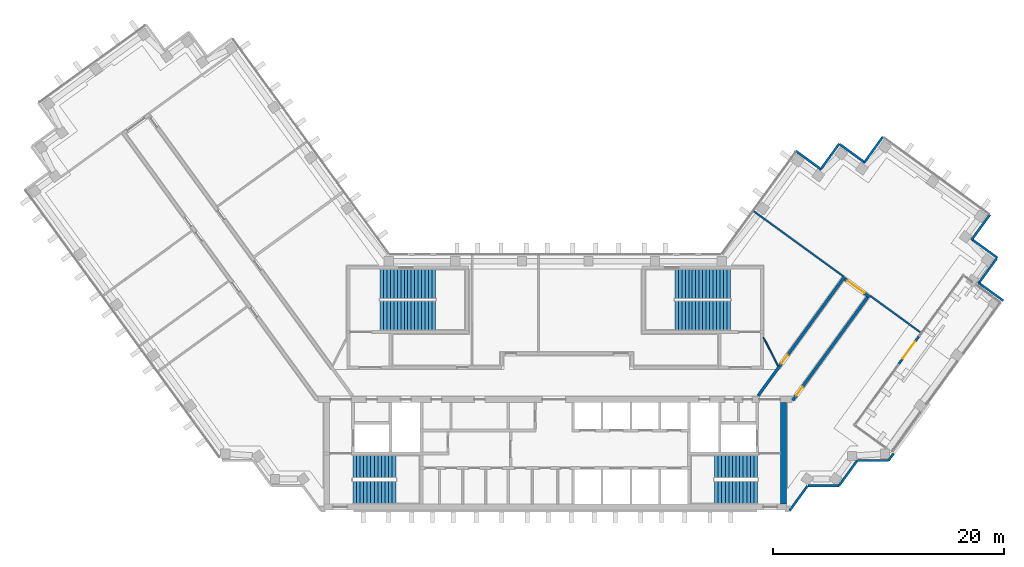
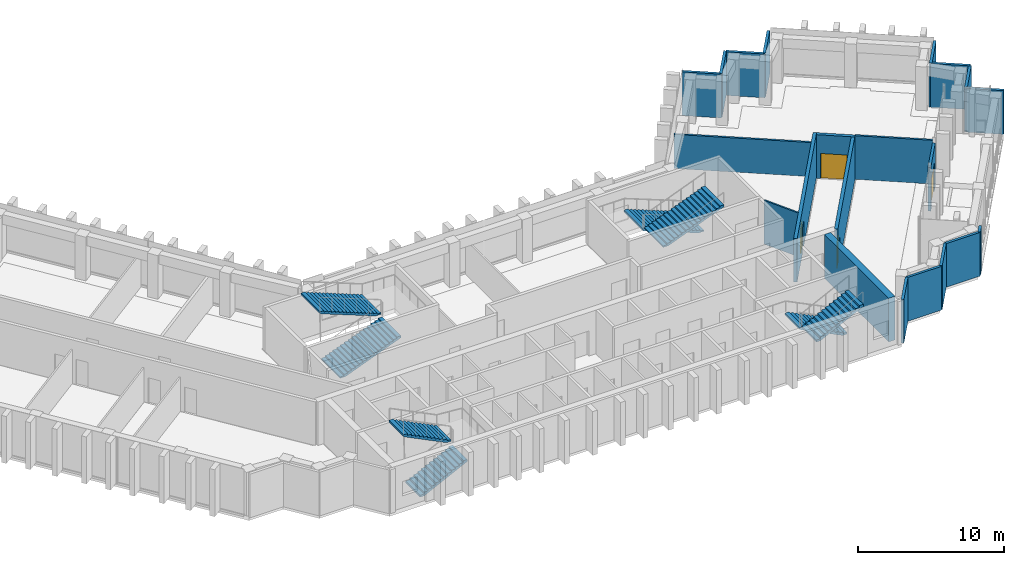
# One storey, part 7 of 10: 21 walls, 8 stair flights, 4 doors, 4 openings, 4 elements without a shape of their own.
"""IFC4 building model written with IfcOpenShell, lengths in metres."""

from ifc_helpers import new_model, si_unit, direction, frame, frame_2d, origin, place, context, subcontext, project, spatial, polyline, rectangle, outline, extrude, material, layer, layer_set, type_object, element, fill, aggregate, save


model = new_model("IFC4")

# Units and contexts
model_context = context("Model", 3, precision=1e-05, world=origin(), true_north=direction((0.0, 1.0)))
body_context = subcontext(model_context, "Body", "Model", "MODEL_VIEW")
ifc_project = project(units=[si_unit("LENGTHUNIT", "METRE"), si_unit("AREAUNIT", "SQUARE_METRE"), si_unit("VOLUMEUNIT", "CUBIC_METRE"), si_unit("PLANEANGLEUNIT", "RADIAN"), si_unit("MASSUNIT", "GRAM", prefix="KILO")], contexts=[model_context])

# Site, building, storey
site_placement = place(None, origin())
site = spatial("IfcSite", under=ifc_project, at=site_placement, CompositionType="ELEMENT")
building_placement = place(site_placement, origin())
building = spatial("IfcBuilding", under=site, at=building_placement, Name="Quipu Civic Tower", CompositionType="ELEMENT")
storey_placement = place(building_placement, frame((0.0, 0.0, 202.0)))
storey = spatial("IfcBuildingStorey", under=building, at=storey_placement, Name="L47", CompositionType="ELEMENT", Elevation=202.0)

# Walls
ifc_material_1 = material(Name="Double gypsum plasterboard with mineral wool")
ifc_layer_1 = layer(ifc_material_1, 0.14990234375)
ifc_layer_set_1 = layer_set([ifc_layer_1], Name="Double gypsum plasterboard with mineral wool")
wall_type_1 = type_object("IfcWallType", Name="Acoustic partition 150 plasterboard", PredefinedType="PARTITIONING", material=ifc_layer_set_1)
wall_1_placement = place(storey_placement, frame((24.898193359375, 9.209716796875, 0.0), z_axis=(0.0, 0.0, 1.0), x_axis=(-0.809034479891, 0.587761184791, 0.0)))
element("IfcWall", 1, at=wall_1_placement, inside=storey, type_object=wall_type_1, Name="Partition P01", PredefinedType="PARTITIONING", context=body_context, shape_type="SweptSolid", body=[
    extrude(rectangle(XDim=9.549560546875, YDim=0.14990234375, at=frame_2d((4.77490234375, 0.0))), origin(), (0.0, 0.0, 1.0), 2.85009765625),
])
wall_2_placement = place(storey_placement, frame((31.5732421875, 4.3603515625, 0.0), z_axis=(0.0, 0.0, 1.0), x_axis=(-0.809041862067, 0.587751023328, 0.0)))
element("IfcWall", 2, at=wall_2_placement, inside=storey, type_object=wall_type_1, Name="Partition P10", PredefinedType="PARTITIONING", context=body_context, shape_type="SweptSolid", body=[
    extrude(rectangle(XDim=5.349609375, YDim=0.14990234375, at=frame_2d((2.6748046875, 0.0))), origin(), (0.0, 0.0, 1.0), 3.64990234375),
])
ifc_material_2 = material(Name="Concrete C70/85", Category="concrete")
ifc_layer_2 = layer(ifc_material_2, 0.5)
ifc_layer_set_2 = layer_set([ifc_layer_2], Name="Concrete C70/85")
wall_type_2 = type_object("IfcWallType", Name="Core wall 500", PredefinedType="SHEAR", material=ifc_layer_set_2)
wall_3_placement = place(storey_placement, frame((19.75, -10.5, 0.0), z_axis=(0.0, 0.0, 1.0), x_axis=(0.0, 1.0, 0.0)))
element("IfcWall", 3, at=wall_3_placement, inside=storey, type_object=wall_type_2, Name="Core wall", PredefinedType="SHEAR", context=body_context, shape_type="SweptSolid", body=[
    extrude(rectangle(XDim=8.800048828125, YDim=0.5, at=frame_2d((4.39990234375, 0.0))), origin(), (0.0, 0.0, 1.0), 3.64990234375),
])

# Wall, opening, door
ifc_material_3 = material(Name="Concrete C50/60", Category="concrete")
ifc_layer_3 = layer(ifc_material_3, 0.25)
ifc_layer_set_3 = layer_set([ifc_layer_3], Name="Concrete C50/60")
wall_type_3 = type_object("IfcWallType", Name="Corridor wall 250 concrete", PredefinedType="SOLIDWALL", material=ifc_layer_set_3)
wall_4_placement = place(storey_placement, frame((17.544921875, -1.124755859375, 0.0), z_axis=(0.0, 0.0, 1.0), x_axis=(0.587796810203, 0.809008596935, 0.0)))
wall_4 = element("IfcWall", 4, at=wall_4_placement, inside=storey, type_object=wall_type_3, Name="Corridor wall C01", PredefinedType="SOLIDWALL", context=body_context, shape_type="SweptSolid", body=[
    extrude(rectangle(XDim=12.703125, YDim=0.25, at=frame_2d((6.3515625, 0.0))), origin(), (0.0, 0.0, 1.0), 3.64990234375),
])
opening_1_placement = place(wall_4_placement, frame((3.44140625, 0.0, 0.0)))
opening_1 = element("IfcOpeningElement", 5, at=opening_1_placement, cuts=wall_4, Name="Opening D001", PredefinedType="OPENING", context=body_context, shape_type="SweptSolid", body=[
    extrude(rectangle(XDim=0.89990234375, YDim=2.10009765625, at=frame_2d((0.449951171875, 1.050048828125))), frame((0.0, 0.135009765625, 0.0), z_axis=(0.0, -1.0, 0.0), x_axis=(1.0, 0.0, 0.0)), (0.0, 0.0, 1.0), 0.27001953125),
])
ifc_material_4 = material(Name="Fire rated timber door set with metal frame", Category="wood")
door_type_1 = type_object("IfcDoorType", Name="Single door 900 x 2100 FD60", OperationType="NOTDEFINED", PredefinedType="DOOR", material=ifc_material_4)
door_1_placement = place(opening_1_placement, origin())
door_1 = element("IfcDoor", 6, at=door_1_placement, inside=storey, type_object=door_type_1, Name="Door D001", OperationType="SINGLE_SWING_LEFT", OverallHeight=2.10009765625, OverallWidth=0.89990234375, PredefinedType="DOOR", context=body_context, shape_type="SweptSolid", body=[
    extrude(rectangle(XDim=0.89990234375, YDim=2.10009765625, at=frame_2d((0.449951171875, 1.050048828125))), frame((0.0, 0.02490234375, 0.0), z_axis=(0.0, -1.0, 0.0), x_axis=(1.0, 0.0, 0.0)), (0.0, 0.0, 1.0), 0.050048828125),
])
fill(opening_1, door_1)

wall_5_placement = place(storey_placement, frame((25.039306640625, 8.9775390625, 0.0), z_axis=(0.0, 0.0, 1.0), x_axis=(0.809006914995, -0.587799125119, 0.0)))
wall_5 = element("IfcWall", 7, at=wall_5_placement, inside=storey, type_object=wall_type_3, Name="Corridor wall C02", PredefinedType="SOLIDWALL", context=body_context, shape_type="SweptSolid", body=[
    extrude(rectangle(XDim=2.64990234375, YDim=0.25, at=frame_2d((1.324951171875, 0.0))), origin(), (0.0, 0.0, 1.0), 3.64990234375),
])
opening_2_placement = place(wall_5_placement, frame((0.300537109375, 0.0, 0.0)))
opening_2 = element("IfcOpeningElement", 8, at=opening_2_placement, cuts=wall_5, Name="Opening D003", PredefinedType="OPENING", context=body_context, shape_type="SweptSolid", body=[
    extrude(rectangle(XDim=1.800048828125, YDim=2.10009765625, at=frame_2d((0.89990234375, 1.050048828125))), frame((0.0, 0.135009765625, 0.0), z_axis=(0.0, -1.0, 0.0), x_axis=(1.0, 0.0, 0.0)), (0.0, 0.0, 1.0), 0.27001953125),
])
ifc_material_5 = material(Name="Fire rated timber door set with metal frame", Category="wood")
door_type_2 = type_object("IfcDoorType", Name="Double door 1800 x 2100 FD60", OperationType="DOUBLE_DOOR_SINGLE_SWING", PredefinedType="DOOR", material=ifc_material_5)
door_2_placement = place(opening_2_placement, origin())
door_2 = element("IfcDoor", 9, at=door_2_placement, inside=storey, type_object=door_type_2, Name="Door D003", OperationType="DOUBLE_DOOR_SINGLE_SWING", OverallHeight=2.10009765625, OverallWidth=1.800048828125, PredefinedType="DOOR", context=body_context, shape_type="SweptSolid", body=[
    extrude(rectangle(XDim=1.800048828125, YDim=2.10009765625, at=frame_2d((0.89990234375, 1.050048828125))), frame((0.0, 0.02490234375, 0.0), z_axis=(0.0, -1.0, 0.0), x_axis=(1.0, 0.0, 0.0)), (0.0, 0.0, 1.0), 0.050048828125),
])
fill(opening_2, door_2)

wall_6_placement = place(storey_placement, frame((27.008544921875, 7.392333984375, 0.0), z_axis=(0.0, 0.0, 1.0), x_axis=(-0.587776457057, -0.809023384414, 0.0)))
wall_6 = element("IfcWall", 10, at=wall_6_placement, inside=storey, type_object=wall_type_3, Name="Corridor wall C03", PredefinedType="SOLIDWALL", context=body_context, shape_type="SweptSolid", body=[
    extrude(rectangle(XDim=11.0205078125, YDim=0.25, at=frame_2d((5.51025390625, 0.0))), origin(), (0.0, 0.0, 1.0), 3.64990234375),
])
opening_3_placement = place(wall_6_placement, frame((9.587646484375, 0.0, 0.0)))
opening_3 = element("IfcOpeningElement", 11, at=opening_3_placement, cuts=wall_6, Name="Opening D002", PredefinedType="OPENING", context=body_context, shape_type="SweptSolid", body=[
    extrude(rectangle(XDim=0.89990234375, YDim=2.10009765625, at=frame_2d((0.449951171875, 1.050048828125))), frame((0.0, 0.135009765625, 0.0), z_axis=(0.0, -1.0, 0.0), x_axis=(1.0, 0.0, 0.0)), (0.0, 0.0, 1.0), 0.27001953125),
])
door_3_placement = place(opening_3_placement, origin())
door_3 = element("IfcDoor", 12, at=door_3_placement, inside=storey, type_object=door_type_1, Name="Door D002", OperationType="SINGLE_SWING_RIGHT", OverallHeight=2.10009765625, OverallWidth=0.89990234375, PredefinedType="DOOR", context=body_context, shape_type="SweptSolid", body=[
    extrude(rectangle(XDim=0.89990234375, YDim=2.10009765625, at=frame_2d((0.449951171875, 1.050048828125))), frame((0.0, 0.02490234375, 0.0), z_axis=(0.0, -1.0, 0.0), x_axis=(1.0, 0.0, 0.0)), (0.0, 0.0, 1.0), 0.050048828125),
])
fill(opening_3, door_3)

# Walls
ifc_material_6 = material(Name="Gypsum plasterboard on light gauge framing")
ifc_layer_4 = layer(ifc_material_6, 0.1201171875)
ifc_layer_set_4 = layer_set([ifc_layer_4], Name="Gypsum plasterboard on light gauge framing")
wall_type_4 = type_object("IfcWallType", Name="Partition 120 plasterboard", PredefinedType="PARTITIONING", material=ifc_layer_set_4)
wall_7_placement = place(storey_placement, frame((18.0, 3.925048828125, 0.0), z_axis=(0.0, 0.0, 1.0), x_axis=(0.453950796792, -0.891026752736, 0.0)))
element("IfcWall", 13, at=wall_7_placement, inside=storey, type_object=wall_type_4, Name="Partition P12", PredefinedType="PARTITIONING", context=body_context, shape_type="SweptSolid", body=[
    extrude(rectangle(XDim=2.77783203125, YDim=0.1201171875, at=frame_2d((1.388916015625, 0.0))), origin(), (0.0, 0.0, 1.0), 3.64990234375),
])
ifc_material_7 = material(Name="Precast concrete C40/50", Category="concrete")
wall_type_5 = type_object("IfcWallType", Name="Precast cladding wall", PredefinedType="SOLIDWALL", material=ifc_material_7)
for number, where, z_axis, x_axis, name in (
    (14, (36.0048828125, 12.3515625, 0.0), (0.0, 0.0, 1.0), (0.587762999008, 0.809033161865, 0.0), "Precast cladding wall L47 P01"),
    (15, (28.333984375, 21.26220703125, 0.0), (0.0, 0.0, 1.0), (-0.587762999008, -0.809033161865, 0.0), "Precast cladding wall L47 P03"),
):
    element("IfcWall", number, at=place(storey_placement, frame(where, z_axis=z_axis, x_axis=x_axis)), inside=storey, type_object=wall_type_5, Name=name, PredefinedType="SOLIDWALL", context=body_context, shape_type="SweptSolid", body=[
        extrude(rectangle(XDim=2.699951171875, YDim=0.199951171875, at=frame_2d((1.35009765625, 0.0))), origin(), (0.0, 0.0, 1.0), 3.64990234375),
    ])
wall_8_placement = place(storey_placement, frame((26.78466796875, 19.03564453125, 0.0), z_axis=(0.0, 0.0, 1.0), x_axis=(-0.809064397168, 0.587720002413, 0.0)))
element("IfcWall", 16, at=wall_8_placement, inside=storey, type_object=wall_type_5, Name="Precast cladding wall L47 P04", PredefinedType="SOLIDWALL", context=body_context, shape_type="SweptSolid", body=[
    extrude(rectangle(XDim=2.7001953125, YDim=0.199951171875, at=frame_2d((1.35009765625, 0.0))), origin(), (0.0, 0.0, 1.0), 3.64990234375),
])
for number, where, z_axis, x_axis, name in (
    (17, (24.562744140625, 20.664794921875, 0.0), (0.0, 0.0, 1.0), (-0.587822180636, -0.808990163075, 0.0), "Precast cladding wall L47 P05"),
    (18, (23.01318359375, 18.438232421875, 0.0), (0.0, 0.0, 1.0), (-0.808990163075, 0.587822180636, 0.0), "Precast cladding wall L47 P06"),
):
    element("IfcWall", number, at=place(storey_placement, frame(where, z_axis=z_axis, x_axis=x_axis)), inside=storey, type_object=wall_type_5, Name=name, PredefinedType="SOLIDWALL", context=body_context, shape_type="SweptSolid", body=[
        extrude(rectangle(XDim=2.699951171875, YDim=0.199951171875, at=frame_2d((1.35009765625, 0.0))), origin(), (0.0, 0.0, 1.0), 3.64990234375),
    ])
wall_9_placement = place(storey_placement, frame((20.253173828125, -11.083251953125, 0.0), z_axis=(0.0, 0.0, 1.0), x_axis=(0.587766567315, 0.809030569476, 0.0)))
element("IfcWall", 19, at=wall_9_placement, inside=storey, type_object=wall_type_5, Name="Precast cladding wall L47 P32", PredefinedType="SOLIDWALL", context=body_context, shape_type="SweptSolid", body=[
    extrude(rectangle(XDim=2.687744140625, YDim=0.199951171875, at=frame_2d((1.34375, 0.0))), origin(), (0.0, 0.0, 1.0), 3.64990234375),
])
wall_10_placement = place(storey_placement, frame((21.8427734375, -8.90380859375, 0.0), z_axis=(0.0, 0.0, 1.0), x_axis=(1.0, 0.0, 0.0)))
element("IfcWall", 20, at=wall_10_placement, inside=storey, type_object=wall_type_5, Name="Precast cladding wall L47 P33", PredefinedType="SOLIDWALL", context=body_context, shape_type="SweptSolid", body=[
    extrude(rectangle(XDim=2.699951171875, YDim=0.199951171875, at=frame_2d((1.35009765625, 0.0))), origin(), (0.0, 0.0, 1.0), 3.64990234375),
])
wall_11_placement = place(storey_placement, frame((24.533203125, -8.90869140625, 0.0), z_axis=(0.0, 0.0, 1.0), x_axis=(0.587720002413, 0.809064397168, 0.0)))
element("IfcWall", 21, at=wall_11_placement, inside=storey, type_object=wall_type_5, Name="Precast cladding wall L47 P34", PredefinedType="SOLIDWALL", context=body_context, shape_type="SweptSolid", body=[
    extrude(rectangle(XDim=2.7001953125, YDim=0.199951171875, at=frame_2d((1.35009765625, 0.0))), origin(), (0.0, 0.0, 1.0), 3.64990234375),
])
wall_12_placement = place(storey_placement, frame((26.1298828125, -6.71923828125, 0.0), z_axis=(0.0, 0.0, 1.0), x_axis=(1.0, 0.0, 0.0)))
element("IfcWall", 22, at=wall_12_placement, inside=storey, type_object=wall_type_5, Name="Precast cladding wall L47 P35", PredefinedType="SOLIDWALL", context=body_context, shape_type="SweptSolid", body=[
    extrude(rectangle(XDim=2.699951171875, YDim=0.199951171875, at=frame_2d((1.35009765625, 0.0))), origin(), (0.0, 0.0, 1.0), 3.64990234375),
])
wall_13_placement = place(storey_placement, frame((28.820068359375, -6.72412109375, 0.0), z_axis=(0.0, 0.0, 1.0), x_axis=(0.587941177097, 0.808903685412, 0.0)))
element("IfcWall", 23, at=wall_13_placement, inside=storey, type_object=wall_type_5, Name="Precast cladding wall L47 1", PredefinedType="SOLIDWALL", context=body_context, shape_type="SweptSolid", body=[
    extrude(rectangle(XDim=0.755859375, YDim=0.199951171875, at=frame_2d((0.3779296875, 0.0))), origin(), (0.0, 0.0, 1.0), 3.64990234375),
])
wall_14_placement = place(storey_placement, frame((38.747802734375, 7.08984375, 0.0), z_axis=(0.0, 0.0, 1.0), x_axis=(-0.80901210161, 0.587791986546, 0.0)))
element("IfcWall", 24, at=wall_14_placement, inside=storey, type_object=wall_type_5, Name="Precast cladding wall L47 9", PredefinedType="SOLIDWALL", context=body_context, shape_type="SweptSolid", body=[
    extrude(rectangle(XDim=2.60009765625, YDim=0.199951171875, at=frame_2d((1.300048828125, 0.0))), origin(), (0.0, 0.0, 1.0), 3.64990234375),
])
for number, where, z_axis, x_axis, name in (
    (25, (36.60205078125, 8.580322265625, 0.0), (0.0, 0.0, 1.0), (0.587822180636, 0.808990163075, 0.0), "Precast cladding wall L47 10"),
    (26, (38.231201171875, 10.80224609375, 0.0), (0.0, 0.0, 1.0), (-0.808958916286, 0.58786518162, 0.0), "Precast cladding wall L47 11"),
):
    element("IfcWall", number, at=place(storey_placement, frame(where, z_axis=z_axis, x_axis=x_axis)), inside=storey, type_object=wall_type_5, Name=name, PredefinedType="SOLIDWALL", context=body_context, shape_type="SweptSolid", body=[
        extrude(rectangle(XDim=2.699951171875, YDim=0.199951171875, at=frame_2d((1.35009765625, 0.0))), origin(), (0.0, 0.0, 1.0), 3.64990234375),
    ])

# Wall, opening, door
ifc_material_8 = material(Name="Precast concrete C40/50", Category="concrete")
wall_type_6 = type_object("IfcWallType", Name="Precast door surround", PredefinedType="SOLIDWALL", material=ifc_material_8)
wall_15_placement = place(storey_placement, frame((31.44921875, 4.019287109375, 0.0), z_axis=(0.0, 0.0, 1.0), x_axis=(-0.58782869016, -0.808985433135, 0.0)))
wall_15 = element("IfcWall", 27, at=wall_15_placement, inside=storey, type_object=wall_type_6, Name="Door surround ED-L47-1", PredefinedType="SOLIDWALL", context=body_context, shape_type="SweptSolid", body=[
    extrude(rectangle(XDim=2.962890625, YDim=0.199951171875, at=frame_2d((1.4814453125, 0.0))), origin(), (0.0, 0.0, 1.0), 3.64990234375),
])
opening_4_placement = place(wall_15_placement, frame((0.58154296875, 0.0, 0.0)))
opening_4 = element("IfcOpeningElement", 28, at=opening_4_placement, cuts=wall_15, Name="Opening ED-L47-1", PredefinedType="OPENING", context=body_context, shape_type="SweptSolid", body=[
    extrude(rectangle(XDim=1.800048828125, YDim=2.39990234375, at=frame_2d((0.89990234375, 1.199951171875))), frame((0.0, 0.10986328125, 0.0), z_axis=(0.0, -1.0, 0.0), x_axis=(1.0, 0.0, 0.0)), (0.0, 0.0, 1.0), 0.219970703125),
])
ifc_material_9 = material(Name="Aluminium framed glazed door", Category="aluminium")
door_type_3 = type_object("IfcDoorType", Name="Terrace door E3", OperationType="DOUBLE_DOOR_SINGLE_SWING", PredefinedType="DOOR", material=ifc_material_9)
door_4_placement = place(opening_4_placement, origin())
door_4 = element("IfcDoor", 29, at=door_4_placement, inside=storey, type_object=door_type_3, Name="E3 door ED-L47-1", OperationType="DOUBLE_DOOR_SINGLE_SWING", OverallHeight=2.39990234375, OverallWidth=1.800048828125, PredefinedType="DOOR", context=body_context, shape_type="SweptSolid", body=[
    extrude(rectangle(XDim=1.800048828125, YDim=2.39990234375, at=frame_2d((0.89990234375, 1.199951171875))), frame((0.0, 0.02490234375, 0.0), z_axis=(0.0, -1.0, 0.0), x_axis=(1.0, 0.0, 0.0)), (0.0, 0.0, 1.0), 0.050048828125),
])
fill(opening_4, door_4)

# Stair, stair flights
ifc_material_10 = material(Name="Concrete C40/50", Category="concrete")
stair_type_1 = type_object("IfcStairType", Name="Half turn stair 2000", PredefinedType="HALF_TURN_STAIR", material=ifc_material_10)
stair_1_placement = place(storey_placement, origin())
stair_1 = element("IfcStair", 30, at=stair_1_placement, inside=storey, type_object=stair_type_1, Name="Exit stair 1", PredefinedType="HALF_TURN_STAIR")
ifc_material_11 = material(Name="Concrete C40/50", Category="concrete")
stair_flight_type_1 = type_object("IfcStairFlightType", Name="Stair flight 2000", PredefinedType="STRAIGHT", material=ifc_material_11)
stair_flight_1_placement = place(storey_placement, frame((-17.5, -9.5, 0.0), z_axis=(0.0, 0.0, 1.0), x_axis=(1.0, 0.0, 0.0)))
stair_flight_1 = element("IfcStairFlight", 31, at=stair_flight_1_placement, type_object=stair_flight_type_1, Name="ST-1 flight 1", NumberOfRisers=13, NumberOfTreads=12, PredefinedType="STRAIGHT", RiserHeight=0.153846154, TreadLength=0.31, context=body_context, shape_type="SweptSolid", body=[
    extrude(outline(polyline([(0.0, 0.0), (0.0, 0.15380859375), (0.31005859375, 0.15380859375), (0.31005859375, 0.3076171875), (0.6201171875, 0.3076171875), (0.6201171875, 0.46142578125), (0.929931640625, 0.46142578125), (0.929931640625, 0.615478515625), (1.239990234375, 0.615478515625), (1.239990234375, 0.769287109375), (1.550048828125, 0.769287109375), (1.550048828125, 0.923095703125), (1.860107421875, 0.923095703125), (1.860107421875, 1.076904296875), (2.169921875, 1.076904296875), (2.169921875, 1.230712890625), (2.47998046875, 1.230712890625), (2.47998046875, 1.384521484375), (2.7900390625, 1.384521484375), (2.7900390625, 1.53857421875), (3.10009765625, 1.53857421875), (3.10009765625, 1.6923828125), (3.409912109375, 1.6923828125), (3.409912109375, 1.84619140625), (3.719970703125, 1.84619140625), (3.719970703125, 2.0), (3.719970703125, 1.6787109375), (0.337158203125, 0.0), (0.0, 0.0)])), frame((0.0, 1.0, 0.0), z_axis=(0.0, -1.0, 0.0), x_axis=(1.0, 0.0, 0.0)), (0.0, 0.0, 1.0), 2.0),
])
stair_flight_2_placement = place(storey_placement, frame((-13.780029296875, -7.25, 2.0), z_axis=(0.0, 0.0, 1.0), x_axis=(-1.0, 0.0, 0.0)))
stair_flight_2 = element("IfcStairFlight", 32, at=stair_flight_2_placement, type_object=stair_flight_type_1, Name="ST-1 flight 2", NumberOfRisers=13, NumberOfTreads=12, PredefinedType="STRAIGHT", RiserHeight=0.153846154, TreadLength=0.31, context=body_context, shape_type="SweptSolid", body=[
    extrude(outline(polyline([(0.0, 0.0), (0.0, 0.15380859375), (0.31005859375, 0.15380859375), (0.31005859375, 0.3076171875), (0.6201171875, 0.3076171875), (0.6201171875, 0.46142578125), (0.929931640625, 0.46142578125), (0.929931640625, 0.615478515625), (1.239990234375, 0.615478515625), (1.239990234375, 0.769287109375), (1.550048828125, 0.769287109375), (1.550048828125, 0.923095703125), (1.860107421875, 0.923095703125), (1.860107421875, 1.076904296875), (2.169921875, 1.076904296875), (2.169921875, 1.230712890625), (2.47998046875, 1.230712890625), (2.47998046875, 1.384521484375), (2.7900390625, 1.384521484375), (2.7900390625, 1.53857421875), (3.10009765625, 1.53857421875), (3.10009765625, 1.6923828125), (3.409912109375, 1.6923828125), (3.409912109375, 1.84619140625), (3.719970703125, 1.84619140625), (3.719970703125, 2.0), (3.719970703125, 1.6787109375), (0.337158203125, 0.0), (0.0, 0.0)])), frame((0.0, 1.0, 0.0), z_axis=(0.0, -1.0, 0.0), x_axis=(1.0, 0.0, 0.0)), (0.0, 0.0, 1.0), 2.0),
])
aggregate(stair_1, [stair_flight_1, stair_flight_2])

stair_2_placement = place(storey_placement, origin())
stair_2 = element("IfcStair", 33, at=stair_2_placement, inside=storey, type_object=stair_type_1, Name="Exit stair 2", PredefinedType="HALF_TURN_STAIR")
stair_flight_3_placement = place(storey_placement, frame((17.5, -7.25, 0.0), z_axis=(0.0, 0.0, 1.0), x_axis=(-1.0, 0.0, 0.0)))
stair_flight_3 = element("IfcStairFlight", 34, at=stair_flight_3_placement, type_object=stair_flight_type_1, Name="ST-2 flight 1", NumberOfRisers=13, NumberOfTreads=12, PredefinedType="STRAIGHT", RiserHeight=0.153846154, TreadLength=0.31, context=body_context, shape_type="SweptSolid", body=[
    extrude(outline(polyline([(0.0, 0.0), (0.0, 0.15380859375), (0.31005859375, 0.15380859375), (0.31005859375, 0.3076171875), (0.6201171875, 0.3076171875), (0.6201171875, 0.46142578125), (0.929931640625, 0.46142578125), (0.929931640625, 0.615478515625), (1.239990234375, 0.615478515625), (1.239990234375, 0.769287109375), (1.550048828125, 0.769287109375), (1.550048828125, 0.923095703125), (1.860107421875, 0.923095703125), (1.860107421875, 1.076904296875), (2.169921875, 1.076904296875), (2.169921875, 1.230712890625), (2.47998046875, 1.230712890625), (2.47998046875, 1.384521484375), (2.7900390625, 1.384521484375), (2.7900390625, 1.53857421875), (3.10009765625, 1.53857421875), (3.10009765625, 1.6923828125), (3.409912109375, 1.6923828125), (3.409912109375, 1.84619140625), (3.719970703125, 1.84619140625), (3.719970703125, 2.0), (3.719970703125, 1.6787109375), (0.337158203125, 0.0), (0.0, 0.0)])), frame((0.0, 1.0, 0.0), z_axis=(0.0, -1.0, 0.0), x_axis=(1.0, 0.0, 0.0)), (0.0, 0.0, 1.0), 2.0),
])
stair_flight_4_placement = place(storey_placement, frame((13.780029296875, -9.5, 2.0), z_axis=(0.0, 0.0, 1.0), x_axis=(1.0, 0.0, 0.0)))
stair_flight_4 = element("IfcStairFlight", 35, at=stair_flight_4_placement, type_object=stair_flight_type_1, Name="ST-2 flight 2", NumberOfRisers=13, NumberOfTreads=12, PredefinedType="STRAIGHT", RiserHeight=0.153846154, TreadLength=0.31, context=body_context, shape_type="SweptSolid", body=[
    extrude(outline(polyline([(0.0, 0.0), (0.0, 0.15380859375), (0.31005859375, 0.15380859375), (0.31005859375, 0.3076171875), (0.6201171875, 0.3076171875), (0.6201171875, 0.46142578125), (0.929931640625, 0.46142578125), (0.929931640625, 0.615478515625), (1.239990234375, 0.615478515625), (1.239990234375, 0.769287109375), (1.550048828125, 0.769287109375), (1.550048828125, 0.923095703125), (1.860107421875, 0.923095703125), (1.860107421875, 1.076904296875), (2.169921875, 1.076904296875), (2.169921875, 1.230712890625), (2.47998046875, 1.230712890625), (2.47998046875, 1.384521484375), (2.7900390625, 1.384521484375), (2.7900390625, 1.53857421875), (3.10009765625, 1.53857421875), (3.10009765625, 1.6923828125), (3.409912109375, 1.6923828125), (3.409912109375, 1.84619140625), (3.719970703125, 1.84619140625), (3.719970703125, 2.0), (3.719970703125, 1.6787109375), (0.337158203125, 0.0), (0.0, 0.0)])), frame((0.0, 1.0, 0.0), z_axis=(0.0, -1.0, 0.0), x_axis=(1.0, 0.0, 0.0)), (0.0, 0.0, 1.0), 2.0),
])
aggregate(stair_2, [stair_flight_3, stair_flight_4])

ifc_material_12 = material(Name="Concrete C40/50", Category="concrete")
stair_type_2 = type_object("IfcStairType", Name="Half turn stair 2600", PredefinedType="HALF_TURN_STAIR", material=ifc_material_12)
stair_3_placement = place(storey_placement, origin())
stair_3 = element("IfcStair", 36, at=stair_3_placement, inside=storey, type_object=stair_type_2, Name="Exit stair 3", PredefinedType="HALF_TURN_STAIR")
ifc_material_13 = material(Name="Concrete C40/50", Category="concrete")
stair_flight_type_2 = type_object("IfcStairFlightType", Name="Stair flight 2600", PredefinedType="STRAIGHT", material=ifc_material_13)
stair_flight_5_placement = place(storey_placement, frame((-15.14990234375, 5.800048828125, 0.0), z_axis=(0.0, 0.0, 1.0), x_axis=(1.0, 0.0, 0.0)))
stair_flight_5 = element("IfcStairFlight", 37, at=stair_flight_5_placement, type_object=stair_flight_type_2, Name="ST-3 flight 1", NumberOfRisers=17, NumberOfTreads=16, PredefinedType="STRAIGHT", RiserHeight=0.117647059, TreadLength=0.3, context=body_context, shape_type="SweptSolid", body=[
    extrude(outline(polyline([(0.0, 0.0), (0.0, 0.11767578125), (0.300048828125, 0.11767578125), (0.300048828125, 0.2353515625), (0.60009765625, 0.2353515625), (0.60009765625, 0.35302734375), (0.89990234375, 0.35302734375), (0.89990234375, 0.470703125), (1.199951171875, 0.470703125), (1.199951171875, 0.588134765625), (1.5, 0.588134765625), (1.5, 0.705810546875), (1.800048828125, 0.705810546875), (1.800048828125, 0.823486328125), (2.10009765625, 0.823486328125), (2.10009765625, 0.941162109375), (2.39990234375, 0.941162109375), (2.39990234375, 1.058837890625), (2.699951171875, 1.058837890625), (2.699951171875, 1.176513671875), (3.0, 1.176513671875), (3.0, 1.294189453125), (3.300048828125, 1.294189453125), (3.300048828125, 1.411865234375), (3.60009765625, 1.411865234375), (3.60009765625, 1.529296875), (3.89990234375, 1.529296875), (3.89990234375, 1.64697265625), (4.199951171875, 1.64697265625), (4.199951171875, 1.7646484375), (4.5, 1.7646484375), (4.5, 1.88232421875), (4.800048828125, 1.88232421875), (4.800048828125, 2.0), (4.800048828125, 1.721435546875), (0.41064453125, 0.0), (0.0, 0.0)])), frame((0.0, 1.300048828125, 0.0), z_axis=(0.0, -1.0, 0.0), x_axis=(1.0, 0.0, 0.0)), (0.0, 0.0, 1.0), 2.60009765625),
])
stair_flight_6_placement = place(storey_placement, frame((-10.35009765625, 8.550048828125, 2.0), z_axis=(0.0, 0.0, 1.0), x_axis=(-1.0, 0.0, 0.0)))
stair_flight_6 = element("IfcStairFlight", 38, at=stair_flight_6_placement, type_object=stair_flight_type_2, Name="ST-3 flight 2", NumberOfRisers=17, NumberOfTreads=16, PredefinedType="STRAIGHT", RiserHeight=0.117647059, TreadLength=0.3, context=body_context, shape_type="SweptSolid", body=[
    extrude(outline(polyline([(0.0, 0.0), (0.0, 0.11767578125), (0.300048828125, 0.11767578125), (0.300048828125, 0.2353515625), (0.60009765625, 0.2353515625), (0.60009765625, 0.35302734375), (0.89990234375, 0.35302734375), (0.89990234375, 0.470703125), (1.199951171875, 0.470703125), (1.199951171875, 0.588134765625), (1.5, 0.588134765625), (1.5, 0.705810546875), (1.800048828125, 0.705810546875), (1.800048828125, 0.823486328125), (2.10009765625, 0.823486328125), (2.10009765625, 0.941162109375), (2.39990234375, 0.941162109375), (2.39990234375, 1.058837890625), (2.699951171875, 1.058837890625), (2.699951171875, 1.176513671875), (3.0, 1.176513671875), (3.0, 1.294189453125), (3.300048828125, 1.294189453125), (3.300048828125, 1.411865234375), (3.60009765625, 1.411865234375), (3.60009765625, 1.529296875), (3.89990234375, 1.529296875), (3.89990234375, 1.64697265625), (4.199951171875, 1.64697265625), (4.199951171875, 1.7646484375), (4.5, 1.7646484375), (4.5, 1.88232421875), (4.800048828125, 1.88232421875), (4.800048828125, 2.0), (4.800048828125, 1.721435546875), (0.41064453125, 0.0), (0.0, 0.0)])), frame((0.0, 1.300048828125, 0.0), z_axis=(0.0, -1.0, 0.0), x_axis=(1.0, 0.0, 0.0)), (0.0, 0.0, 1.0), 2.60009765625),
])
aggregate(stair_3, [stair_flight_5, stair_flight_6])

stair_4_placement = place(storey_placement, origin())
stair_4 = element("IfcStair", 39, at=stair_4_placement, inside=storey, type_object=stair_type_2, Name="Exit stair 4", PredefinedType="HALF_TURN_STAIR")
stair_flight_7_placement = place(storey_placement, frame((15.14990234375, 8.550048828125, 0.0), z_axis=(0.0, 0.0, 1.0), x_axis=(-1.0, 0.0, 0.0)))
stair_flight_7 = element("IfcStairFlight", 40, at=stair_flight_7_placement, type_object=stair_flight_type_2, Name="ST-4 flight 1", NumberOfRisers=17, NumberOfTreads=16, PredefinedType="STRAIGHT", RiserHeight=0.117647059, TreadLength=0.3, context=body_context, shape_type="SweptSolid", body=[
    extrude(outline(polyline([(0.0, 0.0), (0.0, 0.11767578125), (0.300048828125, 0.11767578125), (0.300048828125, 0.2353515625), (0.60009765625, 0.2353515625), (0.60009765625, 0.35302734375), (0.89990234375, 0.35302734375), (0.89990234375, 0.470703125), (1.199951171875, 0.470703125), (1.199951171875, 0.588134765625), (1.5, 0.588134765625), (1.5, 0.705810546875), (1.800048828125, 0.705810546875), (1.800048828125, 0.823486328125), (2.10009765625, 0.823486328125), (2.10009765625, 0.941162109375), (2.39990234375, 0.941162109375), (2.39990234375, 1.058837890625), (2.699951171875, 1.058837890625), (2.699951171875, 1.176513671875), (3.0, 1.176513671875), (3.0, 1.294189453125), (3.300048828125, 1.294189453125), (3.300048828125, 1.411865234375), (3.60009765625, 1.411865234375), (3.60009765625, 1.529296875), (3.89990234375, 1.529296875), (3.89990234375, 1.64697265625), (4.199951171875, 1.64697265625), (4.199951171875, 1.7646484375), (4.5, 1.7646484375), (4.5, 1.88232421875), (4.800048828125, 1.88232421875), (4.800048828125, 2.0), (4.800048828125, 1.721435546875), (0.41064453125, 0.0), (0.0, 0.0)])), frame((0.0, 1.300048828125, 0.0), z_axis=(0.0, -1.0, 0.0), x_axis=(1.0, 0.0, 0.0)), (0.0, 0.0, 1.0), 2.60009765625),
])
stair_flight_8_placement = place(storey_placement, frame((10.35009765625, 5.800048828125, 2.0), z_axis=(0.0, 0.0, 1.0), x_axis=(1.0, 0.0, 0.0)))
stair_flight_8 = element("IfcStairFlight", 41, at=stair_flight_8_placement, type_object=stair_flight_type_2, Name="ST-4 flight 2", NumberOfRisers=17, NumberOfTreads=16, PredefinedType="STRAIGHT", RiserHeight=0.117647059, TreadLength=0.3, context=body_context, shape_type="SweptSolid", body=[
    extrude(outline(polyline([(0.0, 0.0), (0.0, 0.11767578125), (0.300048828125, 0.11767578125), (0.300048828125, 0.2353515625), (0.60009765625, 0.2353515625), (0.60009765625, 0.35302734375), (0.89990234375, 0.35302734375), (0.89990234375, 0.470703125), (1.199951171875, 0.470703125), (1.199951171875, 0.588134765625), (1.5, 0.588134765625), (1.5, 0.705810546875), (1.800048828125, 0.705810546875), (1.800048828125, 0.823486328125), (2.10009765625, 0.823486328125), (2.10009765625, 0.941162109375), (2.39990234375, 0.941162109375), (2.39990234375, 1.058837890625), (2.699951171875, 1.058837890625), (2.699951171875, 1.176513671875), (3.0, 1.176513671875), (3.0, 1.294189453125), (3.300048828125, 1.294189453125), (3.300048828125, 1.411865234375), (3.60009765625, 1.411865234375), (3.60009765625, 1.529296875), (3.89990234375, 1.529296875), (3.89990234375, 1.64697265625), (4.199951171875, 1.64697265625), (4.199951171875, 1.7646484375), (4.5, 1.7646484375), (4.5, 1.88232421875), (4.800048828125, 1.88232421875), (4.800048828125, 2.0), (4.800048828125, 1.721435546875), (0.41064453125, 0.0), (0.0, 0.0)])), frame((0.0, 1.300048828125, 0.0), z_axis=(0.0, -1.0, 0.0), x_axis=(1.0, 0.0, 0.0)), (0.0, 0.0, 1.0), 2.60009765625),
])
aggregate(stair_4, [stair_flight_7, stair_flight_8])

save(model, "model.ifc")
